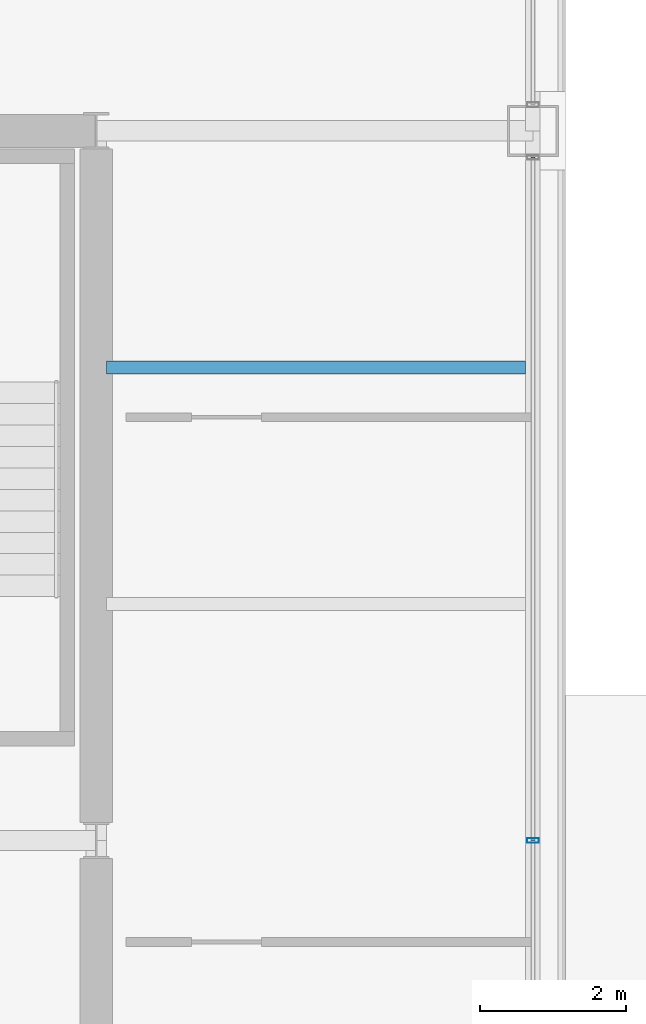
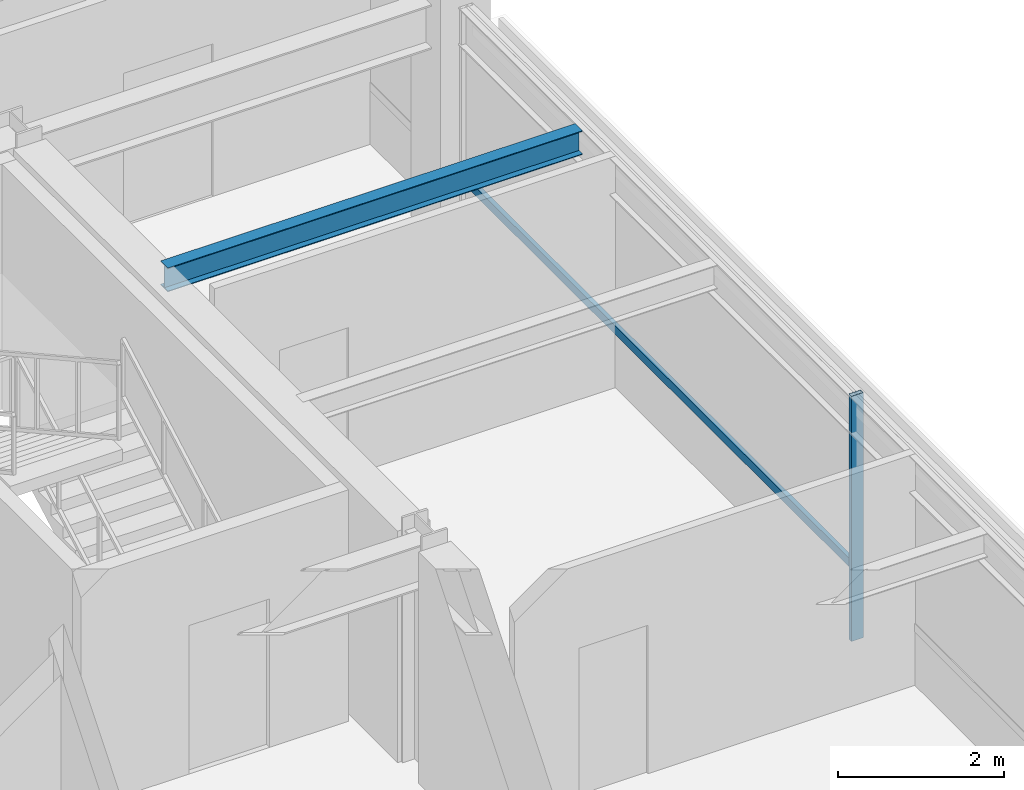
# One storey, part 16 of 26: 2 members, 1 beam, 1 element without a shape of its own.
"""IFC4 building model written with IfcOpenShell, lengths in metres."""

from ifc_helpers import new_model, si_unit, direction, frame, origin, origin_2d, place, context, subcontext, project, spatial, hollow_rectangle, i_section, extrude, material, layer, layer_set, material_profile, profile_set, type_object, element, aggregate, save


model = new_model("IFC4")

# Units and contexts
model_context = context("Model", 3, precision=1e-05, world=origin(), true_north=direction((0.0, 1.0)))
body_context = subcontext(model_context, "Body", "Model", "MODEL_VIEW")
ifc_project = project(units=[si_unit("LENGTHUNIT", "METRE"), si_unit("AREAUNIT", "SQUARE_METRE"), si_unit("VOLUMEUNIT", "CUBIC_METRE"), si_unit("PLANEANGLEUNIT", "RADIAN"), si_unit("MASSUNIT", "GRAM", prefix="KILO")], contexts=[model_context])

# Site, building, storey
site_placement = place(None, origin())
site = spatial("IfcSite", under=ifc_project, at=site_placement, CompositionType="ELEMENT")
building_placement = place(site_placement, origin())
building = spatial("IfcBuilding", under=site, at=building_placement, Name="Brelmoor Portico Tower", CompositionType="ELEMENT")
storey_placement = place(building_placement, frame((0.0, 0.0, 205.5)))
storey = spatial("IfcBuildingStorey", under=building, at=storey_placement, Name="L54", CompositionType="ELEMENT", Elevation=205.5)

# Beam
ifc_material_1 = material(Name="Steel Q355B", Category="steel")
ifc_material_profile_1 = material_profile(ifc_material_1, i_section(OverallWidth=0.175048828125, OverallDepth=0.35009765625, WebThickness=0.007080078125, FlangeThickness=0.010986328125, at=origin_2d()), Name="HN 350x175x7x11")
ifc_profile_set_1 = profile_set([ifc_material_profile_1], Name="Steel Q355B")
beam_type = type_object("IfcBeamType", Name="BM-JS-350", PredefinedType="JOIST", material=ifc_profile_set_1)
beam_placement = place(storey_placement, frame((14.68994140625, 6.5, 3.22509765625), z_axis=(1.0, 0.0, 0.0), x_axis=(0.0, 1.0, 0.0)))
element("IfcBeam", 1, at=beam_placement, inside=storey, type_object=beam_type, Name="L54 Secondary Wing Joist JS-E10", PredefinedType="JOIST", context=body_context, shape_type="SweptSolid", body=[
    extrude(i_section(OverallWidth=0.175048828125, OverallDepth=0.35009765625, WebThickness=0.007080078125, FlangeThickness=0.010986328125, at=origin_2d()), origin(), (0.0, 0.0, 1.0), 5.760009765625),
])

# Curtain wall, members
ifc_material_2 = material(Name="Anodised Aluminium Alloy 6063-T6", Category="aluminium")
ifc_layer = layer(ifc_material_2, 0.179931640625)
ifc_layer_set = layer_set([ifc_layer], Name="Anodised Aluminium Alloy 6063-T6")
curtain_wall_type = type_object("IfcCurtainWallType", Name="CW-TOWER-Z3", PredefinedType="NOTDEFINED", material=ifc_layer_set)
curtain_wall_placement = place(storey_placement, origin())
curtain_wall = element("IfcCurtainWall", 2, at=curtain_wall_placement, inside=storey, type_object=curtain_wall_type, Name="L54 Curtain Wall CW-L54-04-2", PredefinedType="NOTDEFINED")
ifc_material_profile_2 = material_profile(ifc_material_2, hollow_rectangle(XDim=0.06494140625, YDim=0.1650390625, WallThickness=0.00390625, at=origin_2d()), Name="ALU MULLION 65x165")
ifc_profile_set_2 = profile_set([ifc_material_profile_2], Name="Anodised Aluminium Alloy 6063-T6")
member_type_1 = type_object("IfcMemberType", Name="MB-CW-MULL-165", PredefinedType="MULLION", material=ifc_profile_set_2)
member_1_placement = place(storey_placement, frame((20.550048828125, 0.0, -0.199951171875), z_axis=(0.0, 0.0, 1.0), x_axis=(0.0, 1.0, 0.0)))
member_1 = element("IfcMember", 3, at=member_1_placement, type_object=member_type_1, Name="CW-L54-04-2 Mullion 01", PredefinedType="MULLION", context=body_context, shape_type="SweptSolid", body=[
    extrude(hollow_rectangle(XDim=0.06494140625, YDim=0.1650390625, WallThickness=0.00390625, at=origin_2d()), origin(), (0.0, 0.0, 1.0), 3.599853515625),
])
ifc_material_profile_3 = material_profile(ifc_material_2, hollow_rectangle(XDim=0.06005859375, YDim=0.125, WallThickness=0.00341796875, at=origin_2d()), Name="ALU TRANSOM 60x125")
ifc_profile_set_3 = profile_set([ifc_material_profile_3], Name="Anodised Aluminium Alloy 6063-T6")
member_type_2 = type_object("IfcMemberType", Name="MB-CW-TRAN-125", PredefinedType="USERDEFINED", material=ifc_profile_set_3)
member_2_placement = place(storey_placement, frame((20.550048828125, 0.0, 0.85009765625), z_axis=(0.0, 1.0, 0.0), x_axis=(-1.0, 0.0, 0.0)))
member_2 = element("IfcMember", 4, at=member_2_placement, type_object=member_type_2, Name="CW-L54-04-2 Transom 1-01", ObjectType="TRANSOM", PredefinedType="USERDEFINED", context=body_context, shape_type="SweptSolid", body=[
    extrude(hollow_rectangle(XDim=0.06005859375, YDim=0.125, WallThickness=0.00341796875, at=origin_2d()), origin(), (0.0, 0.0, 1.0), 9.389892578125),
])
aggregate(curtain_wall, [member_1, member_2])

save(model, "model.ifc")
